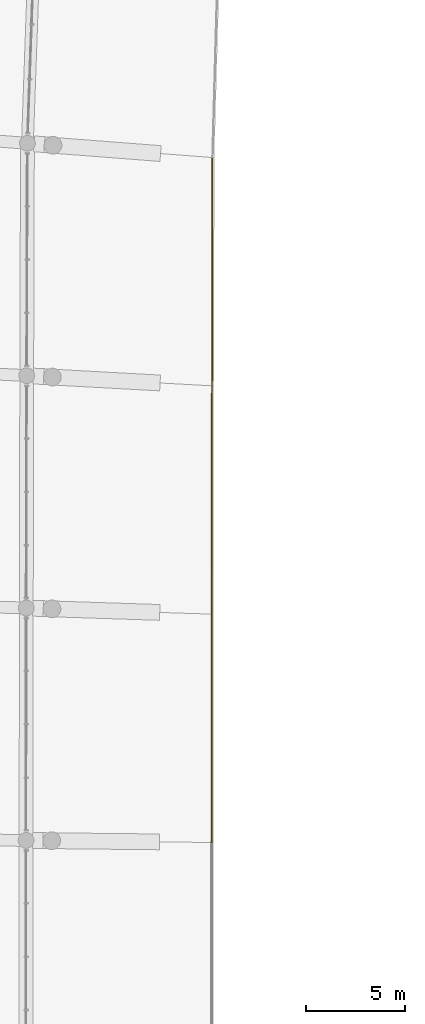
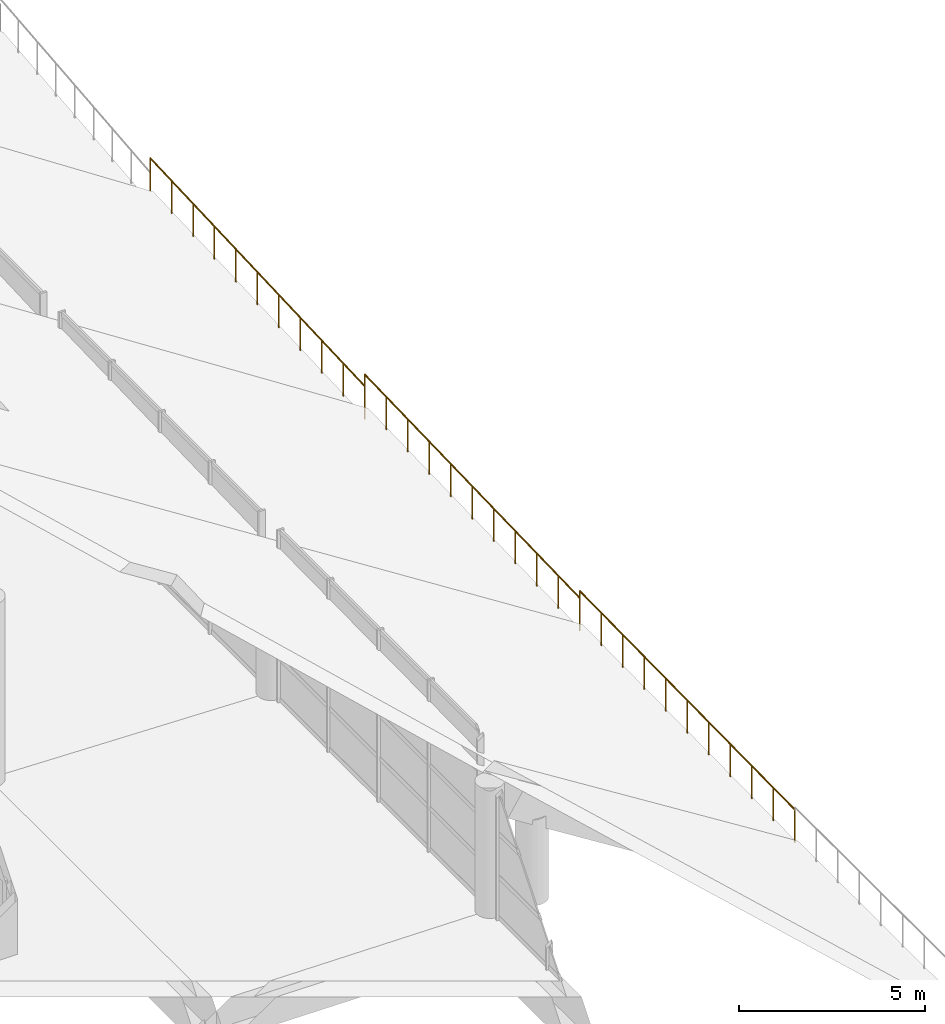
# One storey, part 230 of 249: 3 railings.
"""IFC4 building model written with IfcOpenShell, lengths in metres."""

from ifc_helpers import new_model, si_unit, direction, frame, origin, origin_2d, place, context, subcontext, project, spatial, circle, extrude, material, type_object, element, save


model = new_model("IFC4")

# Units and contexts
model_context = context("Model", 3, precision=1e-05, world=origin(), true_north=direction((0.0, 1.0)))
body_context = subcontext(model_context, "Body", "Model", "MODEL_VIEW")
ifc_project = project(units=[si_unit("LENGTHUNIT", "METRE"), si_unit("AREAUNIT", "SQUARE_METRE"), si_unit("VOLUMEUNIT", "CUBIC_METRE"), si_unit("PLANEANGLEUNIT", "RADIAN"), si_unit("MASSUNIT", "GRAM", prefix="KILO")], contexts=[model_context])

# Site, building, storey
site_placement = place(None, origin())
site = spatial("IfcSite", under=ifc_project, at=site_placement, CompositionType="ELEMENT")
building_placement = place(site_placement, origin())
building = spatial("IfcBuilding", under=site, at=building_placement, Name="Meseta Stadium", CompositionType="ELEMENT")
storey_placement = place(building_placement, frame((0.0, 0.0, 12.0)))
storey = spatial("IfcBuildingStorey", under=building, at=storey_placement, Name="L02", CompositionType="ELEMENT", Elevation=12.0)

# Railings
ifc_material = material(Name="Steel S355", Category="steel")
railing_type = type_object("IfcRailingType", Name="Stand edge guard 1100", PredefinedType="GUARDRAIL", material=ifc_material)
railing_1_placement = place(storey_placement, frame((-55.45751953125, 40.484619140625, -0.706787109375)))
element("IfcRailing", 1, at=railing_1_placement, inside=storey, type_object=railing_type, Name="Stand upper tier front guard bay 30", PredefinedType="GUARDRAIL", context=body_context, shape_type="SweptSolid", body=[
    extrude(circle(Radius=0.02490234375, at=origin_2d()), frame((0.0, 0.0, 1.0751953125), z_axis=(-0.001792804063, -0.999203525403, -0.039863525626), x_axis=(0.999998390368, -0.001794230236, 0.0)), (0.0, 0.0, 1.0), 11.5751953125),
    extrude(circle(Radius=0.02001953125, at=origin_2d()), origin(), (0.0, 0.0, 1.0), 1.050048828125),
    extrude(circle(Radius=0.02001953125, at=origin_2d()), frame((-0.001953125, -1.156494140625, -0.046142578125)), (0.0, 0.0, 1.0), 1.050048828125),
    extrude(circle(Radius=0.02001953125, at=origin_2d()), frame((-0.004150390625, -2.313232421875, -0.09228515625)), (0.0, 0.0, 1.0), 1.050048828125),
    extrude(circle(Radius=0.02001953125, at=origin_2d()), frame((-0.00634765625, -3.4697265625, -0.138427734375)), (0.0, 0.0, 1.0), 1.050048828125),
    extrude(circle(Radius=0.02001953125, at=origin_2d()), frame((-0.00830078125, -4.62646484375, -0.1845703125)), (0.0, 0.0, 1.0), 1.050048828125),
    extrude(circle(Radius=0.02001953125, at=origin_2d()), frame((-0.01025390625, -5.782958984375, -0.230712890625)), (0.0, 0.0, 1.0), 1.050048828125),
    extrude(circle(Radius=0.02001953125, at=origin_2d()), frame((-0.012451171875, -6.939453125, -0.27685546875)), (0.0, 0.0, 1.0), 1.050048828125),
    extrude(circle(Radius=0.02001953125, at=origin_2d()), frame((-0.014404296875, -8.09619140625, -0.322998046875)), (0.0, 0.0, 1.0), 1.050048828125),
    extrude(circle(Radius=0.02001953125, at=origin_2d()), frame((-0.0166015625, -9.252685546875, -0.369140625)), (0.0, 0.0, 1.0), 1.050048828125),
    extrude(circle(Radius=0.02001953125, at=origin_2d()), frame((-0.0185546875, -10.409423828125, -0.415283203125)), (0.0, 0.0, 1.0), 1.050048828125),
    extrude(circle(Radius=0.02001953125, at=origin_2d()), frame((-0.020751953125, -11.56591796875, -0.46142578125)), (0.0, 0.0, 1.0), 1.050048828125),
])
railing_2_placement = place(storey_placement, frame((-55.478271484375, 28.918701171875, -0.783447265625)))
element("IfcRailing", 2, at=railing_2_placement, inside=storey, type_object=railing_type, Name="Stand upper tier front guard bay 31", PredefinedType="GUARDRAIL", context=body_context, shape_type="SweptSolid", body=[
    extrude(circle(Radius=0.02490234375, at=origin_2d()), frame((0.0, 0.0, 1.0751953125), z_axis=(-0.00120266259, -0.999644705221, -0.026627371733), x_axis=(0.999999276288, -0.001203089171, 0.0)), (0.0, 0.0, 1.0), 11.571044921875),
    extrude(circle(Radius=0.02001953125, at=origin_2d()), origin(), (0.0, 0.0, 1.0), 1.050048828125),
    extrude(circle(Radius=0.02001953125, at=origin_2d()), frame((-0.00146484375, -1.15673828125, -0.03076171875)), (0.0, 0.0, 1.0), 1.050048828125),
    extrude(circle(Radius=0.02001953125, at=origin_2d()), frame((-0.002685546875, -2.3134765625, -0.0615234375)), (0.0, 0.0, 1.0), 1.050048828125),
    extrude(circle(Radius=0.02001953125, at=origin_2d()), frame((-0.004150390625, -3.469970703125, -0.092529296875)), (0.0, 0.0, 1.0), 1.050048828125),
    extrude(circle(Radius=0.02001953125, at=origin_2d()), frame((-0.005615234375, -4.626708984375, -0.123291015625)), (0.0, 0.0, 1.0), 1.050048828125),
    extrude(circle(Radius=0.02001953125, at=origin_2d()), frame((-0.0068359375, -5.783447265625, -0.154052734375)), (0.0, 0.0, 1.0), 1.050048828125),
    extrude(circle(Radius=0.02001953125, at=origin_2d()), frame((-0.00830078125, -6.940185546875, -0.184814453125)), (0.0, 0.0, 1.0), 1.050048828125),
    extrude(circle(Radius=0.02001953125, at=origin_2d()), frame((-0.009765625, -8.096923828125, -0.215576171875)), (0.0, 0.0, 1.0), 1.050048828125),
    extrude(circle(Radius=0.02001953125, at=origin_2d()), frame((-0.01123046875, -9.25341796875, -0.24658203125)), (0.0, 0.0, 1.0), 1.050048828125),
    extrude(circle(Radius=0.02001953125, at=origin_2d()), frame((-0.012451171875, -10.41015625, -0.27734375)), (0.0, 0.0, 1.0), 1.050048828125),
    extrude(circle(Radius=0.02001953125, at=origin_2d()), frame((-0.013916015625, -11.56689453125, -0.30810546875)), (0.0, 0.0, 1.0), 1.050048828125),
])
railing_3_placement = place(storey_placement, frame((-55.4921875, 17.351806640625, -0.8603515625)))
element("IfcRailing", 3, at=railing_3_placement, inside=storey, type_object=railing_type, Name="Stand upper tier front guard bay 32", PredefinedType="GUARDRAIL", context=body_context, shape_type="SweptSolid", body=[
    extrude(circle(Radius=0.02490234375, at=origin_2d()), frame((0.0, 0.0, 1.0751953125), z_axis=(-0.000590889044, -0.999910880871, -0.013337209842), x_axis=(0.999999825394, -0.000590941605, 0.0)), (0.0, 0.0, 1.0), 11.56884765625),
    extrude(circle(Radius=0.02001953125, at=origin_2d()), origin(), (0.0, 0.0, 1.0), 1.050048828125),
    extrude(circle(Radius=0.02001953125, at=origin_2d()), frame((-0.000732421875, -1.15673828125, -0.015380859375)), (0.0, 0.0, 1.0), 1.050048828125),
    extrude(circle(Radius=0.02001953125, at=origin_2d()), frame((-0.00146484375, -2.3134765625, -0.03076171875)), (0.0, 0.0, 1.0), 1.050048828125),
    extrude(circle(Radius=0.02001953125, at=origin_2d()), frame((-0.001953125, -3.470458984375, -0.04638671875)), (0.0, 0.0, 1.0), 1.050048828125),
    extrude(circle(Radius=0.02001953125, at=origin_2d()), frame((-0.002685546875, -4.627197265625, -0.061767578125)), (0.0, 0.0, 1.0), 1.050048828125),
    extrude(circle(Radius=0.02001953125, at=origin_2d()), frame((-0.00341796875, -5.783935546875, -0.0771484375)), (0.0, 0.0, 1.0), 1.050048828125),
    extrude(circle(Radius=0.02001953125, at=origin_2d()), frame((-0.004150390625, -6.940673828125, -0.092529296875)), (0.0, 0.0, 1.0), 1.050048828125),
    extrude(circle(Radius=0.02001953125, at=origin_2d()), frame((-0.0048828125, -8.097412109375, -0.10791015625)), (0.0, 0.0, 1.0), 1.050048828125),
    extrude(circle(Radius=0.02001953125, at=origin_2d()), frame((-0.00537109375, -9.25439453125, -0.12353515625)), (0.0, 0.0, 1.0), 1.050048828125),
    extrude(circle(Radius=0.02001953125, at=origin_2d()), frame((-0.006103515625, -10.4111328125, -0.138916015625)), (0.0, 0.0, 1.0), 1.050048828125),
    extrude(circle(Radius=0.02001953125, at=origin_2d()), frame((-0.0068359375, -11.56787109375, -0.154296875)), (0.0, 0.0, 1.0), 1.050048828125),
])

save(model, "model.ifc")
